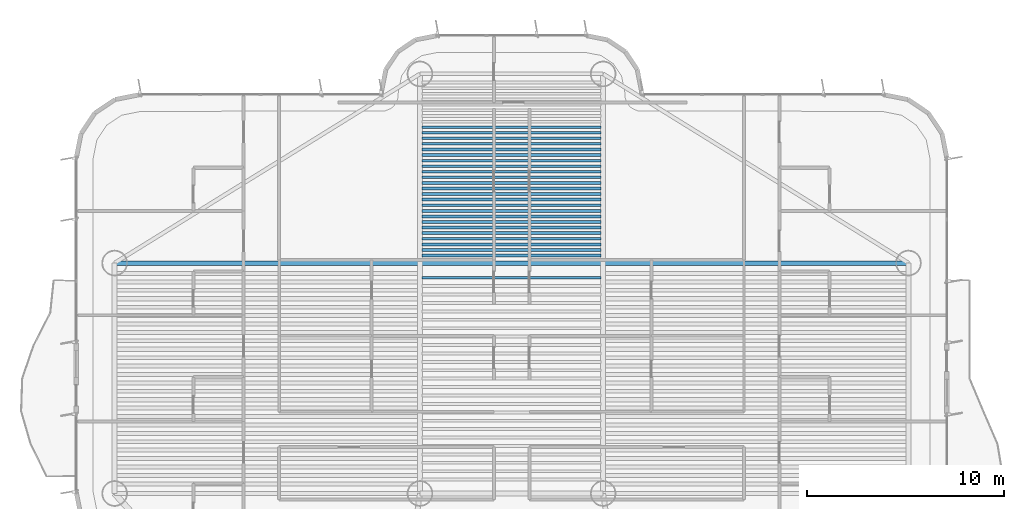
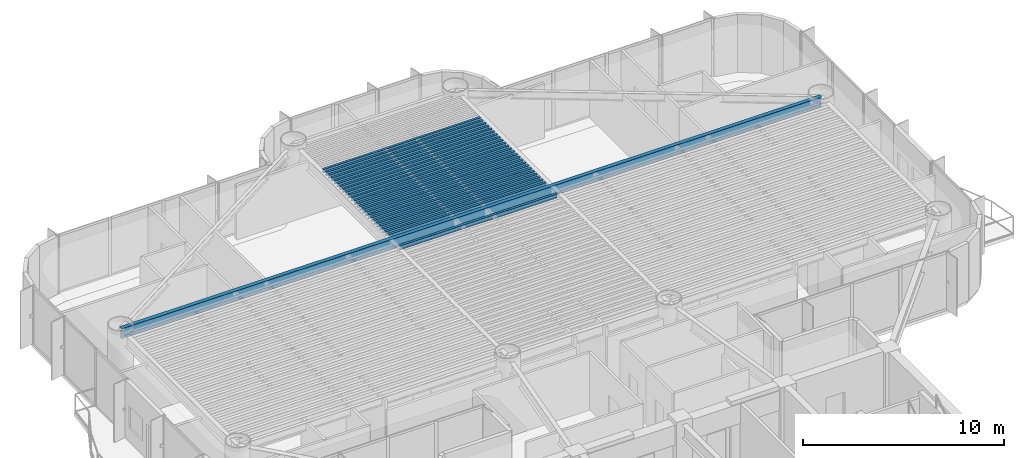
# One storey, part 6 of 17: 26 beams.
"""IFC4 building model written with IfcOpenShell, lengths in metres."""

from ifc_helpers import new_model, si_unit, direction, frame, origin, origin_2d, place, context, subcontext, project, spatial, i_section, extrude, source, transform, mapped, material, material_profile, profile_set, type_object, element, save


model = new_model("IFC4")

# Units and contexts
model_context = context("Model", 3, precision=1e-05, world=origin(), true_north=direction((0.0, 1.0)))
body_context = subcontext(model_context, "Body", "Model", "MODEL_VIEW")
ifc_project = project(units=[si_unit("LENGTHUNIT", "METRE"), si_unit("AREAUNIT", "SQUARE_METRE"), si_unit("VOLUMEUNIT", "CUBIC_METRE"), si_unit("PLANEANGLEUNIT", "RADIAN"), si_unit("MASSUNIT", "GRAM", prefix="KILO")], contexts=[model_context])

# Site, building, storey
site_placement = place(None, origin())
site = spatial("IfcSite", under=ifc_project, at=site_placement, CompositionType="ELEMENT")
building_placement = place(site_placement, origin())
building = spatial("IfcBuilding", under=site, at=building_placement, Name="Brelvock Crest Care Tower", CompositionType="ELEMENT")
storey_placement = place(building_placement, frame((0.0, 0.0, 131.39990234375)))
storey = spatial("IfcBuildingStorey", under=building, at=storey_placement, Name="L33", CompositionType="ELEMENT", Elevation=131.39990234375)

# Beams
ifc_material = material(Name="Steel Grade 350", Category="steel")
ifc_material_profile_1 = material_profile(ifc_material, i_section(OverallWidth=0.14599609375, OverallDepth=0.256103515625, WebThickness=0.00634765625, FlangeThickness=0.010986328125, FilletRadius=0.0087890625, at=origin_2d()), Name="250UB37.3")
ifc_profile_set_1 = profile_set([ifc_material_profile_1], Name="Steel Grade 350")
beam_type_1 = type_object("IfcBeamType", Name="BM-J3", PredefinedType="JOIST", material=ifc_profile_set_1)
shared_shape_1 = source(origin(), body_context, "Body", "SweptSolid", [
    extrude(i_section(OverallWidth=0.14599609375, OverallDepth=0.256103515625, WebThickness=0.00634765625, FlangeThickness=0.010986328125, FilletRadius=0.0087890625, at=origin_2d()), origin(), (0.0, 0.0, 1.0), 9.06982421875),
])
for number, where, z_axis, x_axis, name in (
    (1, (31.465087890625, 38.10400390625, 3.402099609375), (1.0, 0.0, 0.0), (0.0, 1.0, 0.0), "BM-JH-L33-25"),
    (2, (31.465087890625, 39.23388671875, 3.402099609375), (1.0, 0.0, 0.0), (0.0, 1.0, 0.0), "BM-JN-L33-1"),
    (3, (31.465087890625, 39.51708984375, 3.402099609375), (1.0, 0.0, 0.0), (0.0, 1.0, 0.0), "BM-JN-L33-2"),
    (4, (31.465087890625, 39.80029296875, 3.402099609375), (1.0, 0.0, 0.0), (0.0, 1.0, 0.0), "BM-JN-L33-3"),
    (5, (31.465087890625, 40.08349609375, 3.402099609375), (1.0, 0.0, 0.0), (0.0, 1.0, 0.0), "BM-JN-L33-4"),
    (6, (31.465087890625, 40.36669921875, 3.402099609375), (1.0, 0.0, 0.0), (0.0, 1.0, 0.0), "BM-JN-L33-5"),
    (7, (31.465087890625, 40.64990234375, 3.402099609375), (1.0, 0.0, 0.0), (0.0, 1.0, 0.0), "BM-JN-L33-6"),
    (8, (31.465087890625, 40.93310546875, 3.402099609375), (1.0, 0.0, 0.0), (0.0, 1.0, 0.0), "BM-JN-L33-7"),
    (9, (31.465087890625, 41.21630859375, 3.402099609375), (1.0, 0.0, 0.0), (0.0, 1.0, 0.0), "BM-JN-L33-8"),
    (10, (31.465087890625, 41.49951171875, 3.402099609375), (1.0, 0.0, 0.0), (0.0, 1.0, 0.0), "BM-JN-L33-9"),
    (11, (31.465087890625, 41.78271484375, 3.402099609375), (1.0, 0.0, 0.0), (0.0, 1.0, 0.0), "BM-JN-L33-10"),
    (12, (31.465087890625, 42.06591796875, 3.402099609375), (1.0, 0.0, 0.0), (0.0, 1.0, 0.0), "BM-JN-L33-11"),
    (13, (31.465087890625, 42.34912109375, 3.402099609375), (1.0, 0.0, 0.0), (0.0, 1.0, 0.0), "BM-JN-L33-12"),
    (14, (31.465087890625, 42.63232421875, 3.402099609375), (1.0, 0.0, 0.0), (0.0, 1.0, 0.0), "BM-JN-L33-13"),
):
    element("IfcBeam", number, at=place(storey_placement, frame(where, z_axis=z_axis, x_axis=x_axis)), inside=storey, type_object=beam_type_1, Name=name, PredefinedType="JOIST", context=body_context, shape_type="MappedRepresentation", body=[
        mapped(shared_shape_1, transform((0.0, 0.0, 0.0), x_axis=(1.0, 0.0, 0.0), y_axis=(0.0, 1.0, 0.0), z_axis=(0.0, 0.0, 1.0), scale=1.0)),
    ])
ifc_material_profile_2 = material_profile(ifc_material, i_section(OverallWidth=0.134033203125, OverallDepth=0.20703125, WebThickness=0.00634765625, FlangeThickness=0.009521484375, FilletRadius=0.0087890625, at=origin_2d()), Name="200UB29.8")
ifc_profile_set_2 = profile_set([ifc_material_profile_2], Name="Steel Grade 350")
beam_type_2 = type_object("IfcBeamType", Name="BM-J4", PredefinedType="JOIST", material=ifc_profile_set_2)
shared_shape_2 = source(origin(), body_context, "Body", "SweptSolid", [
    extrude(i_section(OverallWidth=0.134033203125, OverallDepth=0.20703125, WebThickness=0.00634765625, FlangeThickness=0.009521484375, FilletRadius=0.0087890625, at=origin_2d()), origin(), (0.0, 0.0, 1.0), 9.06982421875),
])
for number, where, z_axis, x_axis, name in (
    (15, (31.465087890625, 42.91552734375, 3.426513671875), (1.0, 0.0, 0.0), (0.0, 1.0, 0.0), "BM-JN-L33-14"),
    (16, (31.465087890625, 43.19873046875, 3.426513671875), (1.0, 0.0, 0.0), (0.0, 1.0, 0.0), "BM-JN-L33-15"),
    (17, (31.465087890625, 43.48193359375, 3.426513671875), (1.0, 0.0, 0.0), (0.0, 1.0, 0.0), "BM-JN-L33-16"),
    (18, (31.465087890625, 43.76513671875, 3.426513671875), (1.0, 0.0, 0.0), (0.0, 1.0, 0.0), "BM-JN-L33-17"),
    (19, (31.465087890625, 44.04833984375, 3.426513671875), (1.0, 0.0, 0.0), (0.0, 1.0, 0.0), "BM-JN-L33-18"),
    (20, (31.465087890625, 44.33154296875, 3.426513671875), (1.0, 0.0, 0.0), (0.0, 1.0, 0.0), "BM-JN-L33-19"),
    (21, (31.465087890625, 44.61474609375, 3.426513671875), (1.0, 0.0, 0.0), (0.0, 1.0, 0.0), "BM-JN-L33-20"),
    (22, (31.465087890625, 44.89794921875, 3.426513671875), (1.0, 0.0, 0.0), (0.0, 1.0, 0.0), "BM-JN-L33-21"),
    (23, (31.465087890625, 45.18115234375, 3.426513671875), (1.0, 0.0, 0.0), (0.0, 1.0, 0.0), "BM-JN-L33-22"),
    (24, (31.465087890625, 45.46435546875, 3.426513671875), (1.0, 0.0, 0.0), (0.0, 1.0, 0.0), "BM-JN-L33-23"),
    (25, (31.465087890625, 45.74755859375, 3.426513671875), (1.0, 0.0, 0.0), (0.0, 1.0, 0.0), "BM-JN-L33-24"),
):
    element("IfcBeam", number, at=place(storey_placement, frame(where, z_axis=z_axis, x_axis=x_axis)), inside=storey, type_object=beam_type_2, Name=name, PredefinedType="JOIST", context=body_context, shape_type="MappedRepresentation", body=[
        mapped(shared_shape_2, transform((0.0, 0.0, 0.0), x_axis=(1.0, 0.0, 0.0), y_axis=(0.0, 1.0, 0.0), z_axis=(0.0, 0.0, 1.0), scale=1.0)),
    ])
ifc_material_profile_3 = material_profile(ifc_material, i_section(OverallWidth=0.22900390625, OverallDepth=0.612060546875, WebThickness=0.011962890625, FlangeThickness=0.01953125, FilletRadius=0.013916015625, at=origin_2d()), Name="610UB125")
ifc_profile_set_3 = profile_set([ifc_material_profile_3], Name="Steel Grade 350")
beam_type_3 = type_object("IfcBeamType", Name="BM-G1", PredefinedType="BEAM", material=ifc_profile_set_3)
shared_shape_3 = source(origin(), body_context, "Body", "SweptSolid", [
    extrude(i_section(OverallWidth=0.22900390625, OverallDepth=0.612060546875, WebThickness=0.011962890625, FlangeThickness=0.01953125, FilletRadius=0.013916015625, at=origin_2d()), origin(), (0.0, 0.0, 1.0), 40.2998046875),
])
beam_placement = place(storey_placement, frame((15.85009765625, 38.85009765625, 3.22412109375), z_axis=(1.0, 0.0, 0.0), x_axis=(0.0, 1.0, 0.0)))
element("IfcBeam", 26, at=beam_placement, inside=storey, type_object=beam_type_3, Name="BM-TWR-L33-11", PredefinedType="BEAM", context=body_context, shape_type="MappedRepresentation", body=[
    mapped(shared_shape_3, transform((0.0, 0.0, 0.0), x_axis=(1.0, 0.0, 0.0), y_axis=(0.0, 1.0, 0.0), z_axis=(0.0, 0.0, 1.0), scale=1.0)),
])

save(model, "model.ifc")
